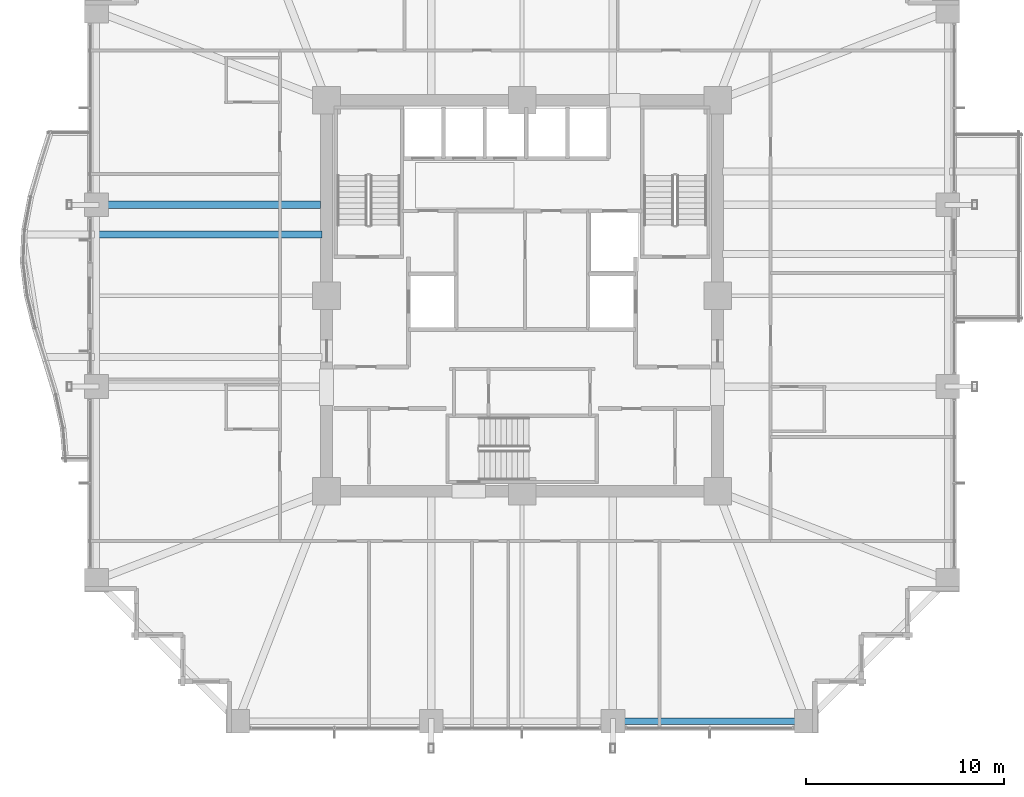
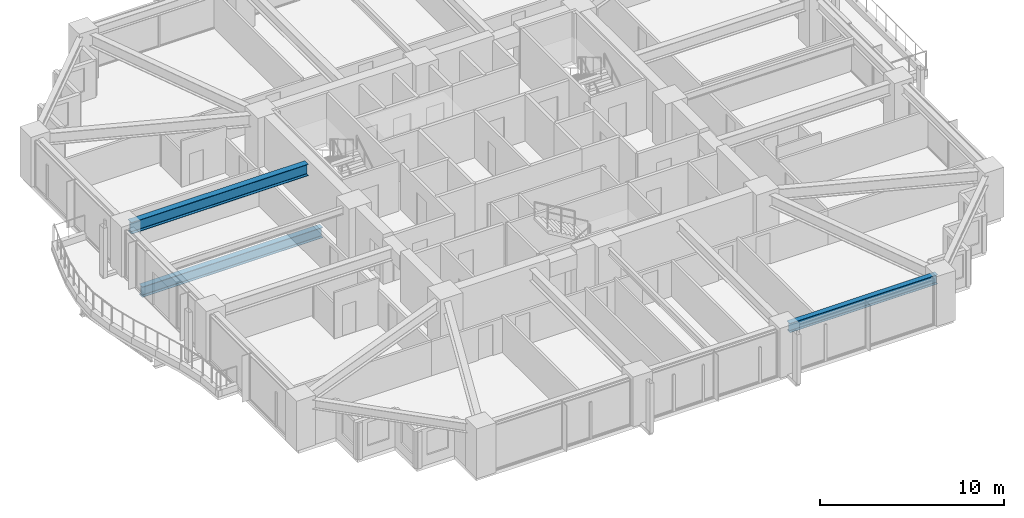
# One storey, part 11 of 38: 3 beams.
"""IFC4 building model written with IfcOpenShell, lengths in metres."""

import ifcopenshell
import ifcopenshell.guid

model = None  # the IFC model being written
_history = None  # IfcOwnerHistory: only IFC2X3 demands one
_inside = {}  # id of a spatial element -> (the spatial element, [elements in it])
_under = {}  # id of a project, library or spatial element -> (it, [spatial elements below it])
_declared = {}  # id of a project -> (the project, [libraries it declares])
_typed = {}  # id of a type object -> (the type object, [elements of that type])
_made_of = {}  # id of a material, layer set ... -> (it, [elements and type objects made of it])


def new_model(schema):
    """Start an empty IFC model of exactly this schema.

    Asked for "IFC4X3", IfcOpenShell would pick the latest addendum, in which some entities
    have other attributes; the version numbers below select the first issue.
    IFC2X3 requires an IfcOwnerHistory on every rooted entity: one is made here for all.
    """
    global model, _history
    if schema == "IFC4X3":
        model = ifcopenshell.file(schema_version=(4, 3, 0, 0))
    else:
        model = ifcopenshell.file(schema=schema)
    _inside.clear()
    _under.clear()
    _declared.clear()
    _typed.clear()
    _made_of.clear()
    _history = None
    if model.schema == "IFC2X3":
        org = make("IfcOrganization", Name="unknown")
        user = make(
            "IfcPersonAndOrganization",
            ThePerson=make("IfcPerson", FamilyName="unknown"),
            TheOrganization=org,
        )
        app = make(
            "IfcApplication",
            ApplicationDeveloper=org,
            Version="unknown",
            ApplicationFullName="unknown",
            ApplicationIdentifier="unknown",
        )
        _history = make(
            "IfcOwnerHistory",
            OwningUser=user,
            OwningApplication=app,
            ChangeAction="ADDED",
            CreationDate=0,
        )
    return model


def make(cls, **values):
    """One entity of the class cls with the attributes given. An attribute that is None is left unset."""
    return model.create_entity(
        cls, **{name: value for name, value in values.items() if value is not None}
    )


def rooted(cls, **values):
    """An entity with a GlobalId (a new one), such as an element, a storey or a relation."""
    return make(cls, GlobalId=ifcopenshell.guid.new(), OwnerHistory=_history, **values)


def si_unit(unit_type, name, prefix=None):
    """IfcSIUnit, for example si_unit("LENGTHUNIT", "METRE", prefix="MILLI")."""
    return make("IfcSIUnit", UnitType=unit_type, Prefix=prefix, Name=name)


def assignment(units):
    """IfcUnitAssignment: the units of a project."""
    return None if units is None else make("IfcUnitAssignment", Units=units)


def point(xyz):
    """IfcCartesianPoint."""
    return None if xyz is None else make("IfcCartesianPoint", Coordinates=xyz)


def direction(xyz):
    """IfcDirection."""
    return None if xyz is None else make("IfcDirection", DirectionRatios=xyz)


def frame(location, z_axis=None, x_axis=None):
    """IfcAxis2Placement3D, a coordinate frame: its origin and axes. An axis left out is left unset."""
    return make(
        "IfcAxis2Placement3D",
        Location=point(location),
        Axis=direction(z_axis),
        RefDirection=direction(x_axis),
    )


def frame_2d(location, x_axis=None):
    """IfcAxis2Placement2D, a coordinate frame in the plane: its origin and x axis."""
    return make(
        "IfcAxis2Placement2D", Location=point(location), RefDirection=direction(x_axis)
    )


def origin():
    """The frame at (0, 0, 0) with its axes left unset."""
    return frame((0.0, 0.0, 0.0))


def origin_2d():
    """The frame at (0, 0) in the plane with its x axis left unset."""
    return frame_2d((0.0, 0.0))


def place(relative_to, where):
    """IfcLocalPlacement: puts the frame where relative to a parent placement (None: the world)."""
    return make(
        "IfcLocalPlacement", PlacementRelTo=relative_to, RelativePlacement=where
    )


def context(
    kind, dimensions, precision=None, world=None, true_north=None, identifier=None
):
    """IfcGeometricRepresentationContext, for example the 3D "Model" context."""
    return make(
        "IfcGeometricRepresentationContext",
        ContextIdentifier=identifier,
        ContextType=kind,
        CoordinateSpaceDimension=dimensions,
        Precision=precision,
        WorldCoordinateSystem=world,
        TrueNorth=true_north,
    )


def subcontext(parent, identifier, kind, view, scale=None):
    """IfcGeometricRepresentationSubContext, for example "Body" below "Model"."""
    return make(
        "IfcGeometricRepresentationSubContext",
        ContextIdentifier=identifier,
        ContextType=kind,
        ParentContext=parent,
        TargetScale=scale,
        TargetView=view,
    )


def project(units=None, contexts=None):
    """IfcProject with its units and contexts."""
    return rooted(
        "IfcProject",
        Name="project",
        RepresentationContexts=contexts,
        UnitsInContext=assignment(units),
    )


def spatial(cls, under=None, at=None, **own):
    """A site, building, storey or space (cls), placed at a placement, below another one or the project."""
    s = rooted(cls, ObjectPlacement=at, **own)
    if under is not None:
        _under.setdefault(under.id(), (under, []))[1].append(s)
    return s


def profile(cls, at=None, kind="AREA", **sizes):
    """A parametric profile (cls). Its sizes go by their IFC names, for example OverallWidth=200.0."""
    return make(cls, ProfileType=kind, Position=at, **sizes)


def i_section(**sizes):
    """IfcIShapeProfileDef."""
    return profile("IfcIShapeProfileDef", **sizes)


def extrude(swept, where, along, depth):
    """IfcExtrudedAreaSolid: the profile swept, set in the frame where, extruded along a direction by depth."""
    return make(
        "IfcExtrudedAreaSolid",
        SweptArea=swept,
        Position=where,
        ExtrudedDirection=direction(along),
        Depth=depth,
    )


def shape(context_of_items, identifier, shape_type, items):
    """IfcShapeRepresentation: the items that make up one representation, for example the "Body"."""
    return make(
        "IfcShapeRepresentation",
        ContextOfItems=context_of_items,
        RepresentationIdentifier=identifier,
        RepresentationType=shape_type,
        Items=items,
    )


def material(Name=None, Category=None):
    """IfcMaterial."""
    return make("IfcMaterial", Name=Name, Category=Category)


def material_profile(
    of_material, cross_section, Name=None, Category=None, Priority=None
):
    """IfcMaterialProfile: a cross section and its material."""
    return make(
        "IfcMaterialProfile",
        Name=Name,
        Material=of_material,
        Profile=cross_section,
        Priority=Priority,
        Category=Category,
    )


def profile_set(profiles, Name=None, composite=None):
    """IfcMaterialProfileSet."""
    return make(
        "IfcMaterialProfileSet",
        Name=Name,
        MaterialProfiles=profiles,
        CompositeProfile=composite,
    )


def made_of(thing, what):
    """Note that an element or type object is made of a material, layer set ...; save() writes the relation."""
    if what is not None:
        _made_of.setdefault(what.id(), (what, []))[1].append(thing)
    return thing


def type_object(cls, material=None, **own):
    """A type object (cls), such as IfcWallType, which elements share."""
    return made_of(rooted(cls, **own), material)


def element(
    cls,
    number,
    at=None,
    inside=None,
    cuts=None,
    type_object=None,
    material=None,
    context=None,
    identifier="Body",
    shape_type=None,
    held_by="IfcProductDefinitionShape",
    body=None,
    shapes=None,
    **own,
):
    """One element of the class cls, such as IfcWall. Its Tag is "e" and its number.

    at: its placement. inside: the storey or other place that contains it. cuts: it is an
    opening in that element (IfcRelVoidsElement). A single representation is given by context,
    identifier, shape_type and body (its items); several are given by shapes. held_by: the class
    of the entity that holds the representations. save() writes the other relations.
    """
    e = rooted(cls, Tag="e%d" % number, ObjectPlacement=at, **own)
    if body is not None:
        shapes = [shape(context, identifier, shape_type, body)]
    if shapes is not None:
        e.Representation = make(held_by, Representations=shapes)
    if inside is not None:
        _inside.setdefault(inside.id(), (inside, []))[1].append(e)
    if cuts is not None:
        rooted(
            "IfcRelVoidsElement", RelatingBuildingElement=cuts, RelatedOpeningElement=e
        )
    if type_object is not None:
        _typed.setdefault(type_object.id(), (type_object, []))[1].append(e)
    return made_of(e, material)


def aggregate(whole, parts):
    """IfcRelAggregates: a whole, such as a stair, and the parts it consists of."""
    return rooted("IfcRelAggregates", RelatingObject=whole, RelatedObjects=parts)


def save(model, path):
    """Write the relations noted so far, then the file.

    IfcRelAggregates (storeys below a building ...), IfcRelContainedInSpatialStructure (elements
    in a storey), IfcRelDefinesByType, IfcRelAssociatesMaterial and IfcRelDeclares: one each for
    every whole, place, type object, material and project.
    """
    for whole, parts in _under.values():
        aggregate(whole, parts)
    for where, things in _inside.values():
        rooted(
            "IfcRelContainedInSpatialStructure",
            RelatedElements=things,
            RelatingStructure=where,
        )
    for kind, things in _typed.values():
        rooted("IfcRelDefinesByType", RelatedObjects=things, RelatingType=kind)
    for what, things in _made_of.values():
        rooted("IfcRelAssociatesMaterial", RelatedObjects=things, RelatingMaterial=what)
    for by, libraries in _declared.values():
        rooted("IfcRelDeclares", RelatingContext=by, RelatedDefinitions=libraries)
    model.write(path)


model = new_model("IFC4")

# Units and contexts
model_context = context("Model", 3, precision=1e-05, world=origin(), true_north=direction((0.0, 1.0)))
body_context = subcontext(model_context, "Body", "Model", "MODEL_VIEW")
ifc_project = project(units=[si_unit("LENGTHUNIT", "METRE"), si_unit("AREAUNIT", "SQUARE_METRE"), si_unit("VOLUMEUNIT", "CUBIC_METRE"), si_unit("PLANEANGLEUNIT", "RADIAN"), si_unit("MASSUNIT", "GRAM", prefix="KILO")], contexts=[model_context])

# Site, building, storey
site_placement = place(None, origin())
site = spatial("IfcSite", under=ifc_project, at=site_placement, CompositionType="ELEMENT")
building_placement = place(site_placement, origin())
building = spatial("IfcBuilding", under=site, at=building_placement, Name="Kolvaren Belvedere", CompositionType="ELEMENT")
storey_placement = place(building_placement, frame((0.0, 0.0, 53.5)))
storey = spatial("IfcBuildingStorey", under=building, at=storey_placement, Name="L15", CompositionType="ELEMENT", Elevation=53.5)

# Beams
ifc_material_1 = material(Name="Structural steel ASTM A992 Grade 50", Category="steel")
ifc_material_profile_1 = material_profile(ifc_material_1, i_section(OverallWidth=0.35498046875, OverallDepth=0.696044921875, WebThickness=0.015380859375, FlangeThickness=0.02490234375, FilletRadius=0.02197265625, at=origin_2d()), Name="W27X146")
ifc_profile_set_1 = profile_set([ifc_material_profile_1], Name="Structural steel ASTM A992 Grade 50")
beam_type_1 = type_object("IfcBeamType", Name="BM-GIRD-W27X146", PredefinedType="BEAM", material=ifc_profile_set_1)
beam_1_placement = place(storey_placement, frame((-10.139892578125, 3.10009765625, -0.587890625), z_axis=(-1.0, 0.0, 0.0), x_axis=(0.0, -1.0, 0.0)))
element("IfcBeam", 1, at=beam_1_placement, inside=storey, type_object=beam_type_1, Name="L15 Balcony Interior Back-Span Girder BAL-W-2", PredefinedType="BEAM", context=body_context, shape_type="SweptSolid", body=[
    extrude(i_section(OverallWidth=0.35498046875, OverallDepth=0.696044921875, WebThickness=0.015380859375, FlangeThickness=0.02490234375, FilletRadius=0.02197265625, at=origin_2d()), origin(), (0.0, 0.0, 1.0), 11.315185546875),
])
ifc_material_2 = material(Name="Structural steel ASTM A992 Grade 50", Category="steel")
ifc_material_profile_2 = material_profile(ifc_material_2, i_section(OverallWidth=0.381103515625, OverallDepth=0.77294921875, WebThickness=0.0166015625, FlangeThickness=0.027099609375, FilletRadius=0.02392578125, at=origin_2d()), Name="W30X173")
ifc_profile_set_2 = profile_set([ifc_material_profile_2], Name="Structural steel ASTM A992 Grade 50")
beam_type_2 = type_object("IfcBeamType", Name="BM-GIRD-W30X173", PredefinedType="BEAM", material=ifc_profile_set_2)
beam_2_placement = place(storey_placement, frame((-10.199951171875, 4.60009765625, 2.673583984375), z_axis=(-1.0, 0.0, 0.0), x_axis=(0.0, -1.0, 0.0)))
element("IfcBeam", 2, at=beam_2_placement, inside=storey, type_object=beam_type_2, Name="L15 West Radial Girder P", PredefinedType="BEAM", context=body_context, shape_type="SweptSolid", body=[
    extrude(i_section(OverallWidth=0.381103515625, OverallDepth=0.77294921875, WebThickness=0.0166015625, FlangeThickness=0.027099609375, FilletRadius=0.02392578125, at=origin_2d()), origin(), (0.0, 0.0, 1.0), 11.080078125),
])
ifc_material_3 = material(Name="Structural steel ASTM A992 Grade 50", Category="steel")
ifc_material_profile_3 = material_profile(ifc_material_3, i_section(OverallWidth=0.324951171875, OverallDepth=0.615966796875, WebThickness=0.013916015625, FlangeThickness=0.021484375, FilletRadius=0.02001953125, at=origin_2d()), Name="W24X117")
ifc_profile_set_3 = profile_set([ifc_material_profile_3], Name="Structural steel ASTM A992 Grade 50")
beam_type_3 = type_object("IfcBeamType", Name="BM-SPAN-W24X117", PredefinedType="SPANDREL", material=ifc_profile_set_3)
beam_3_placement = place(storey_placement, frame((4.8701171875, -21.550048828125, 2.751953125), z_axis=(1.0, 0.0, 0.0), x_axis=(0.0, 1.0, 0.0)))
element("IfcBeam", 3, at=beam_3_placement, inside=storey, type_object=beam_type_3, Name="L15 Perimeter Spandrel S3-S4", PredefinedType="SPANDREL", context=body_context, shape_type="SweptSolid", body=[
    extrude(i_section(OverallWidth=0.324951171875, OverallDepth=0.615966796875, WebThickness=0.013916015625, FlangeThickness=0.021484375, FilletRadius=0.02001953125, at=origin_2d()), origin(), (0.0, 0.0, 1.0), 9.259765625),
])

save(model, "model.ifc")
